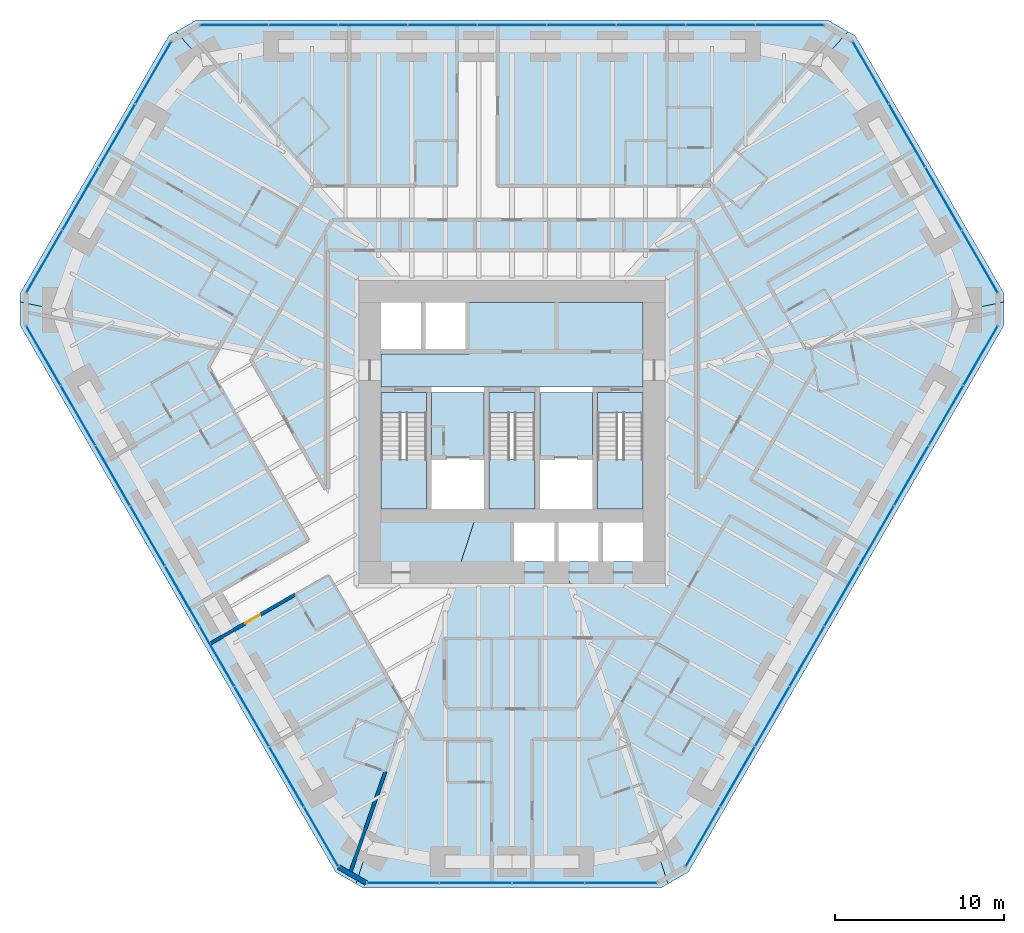
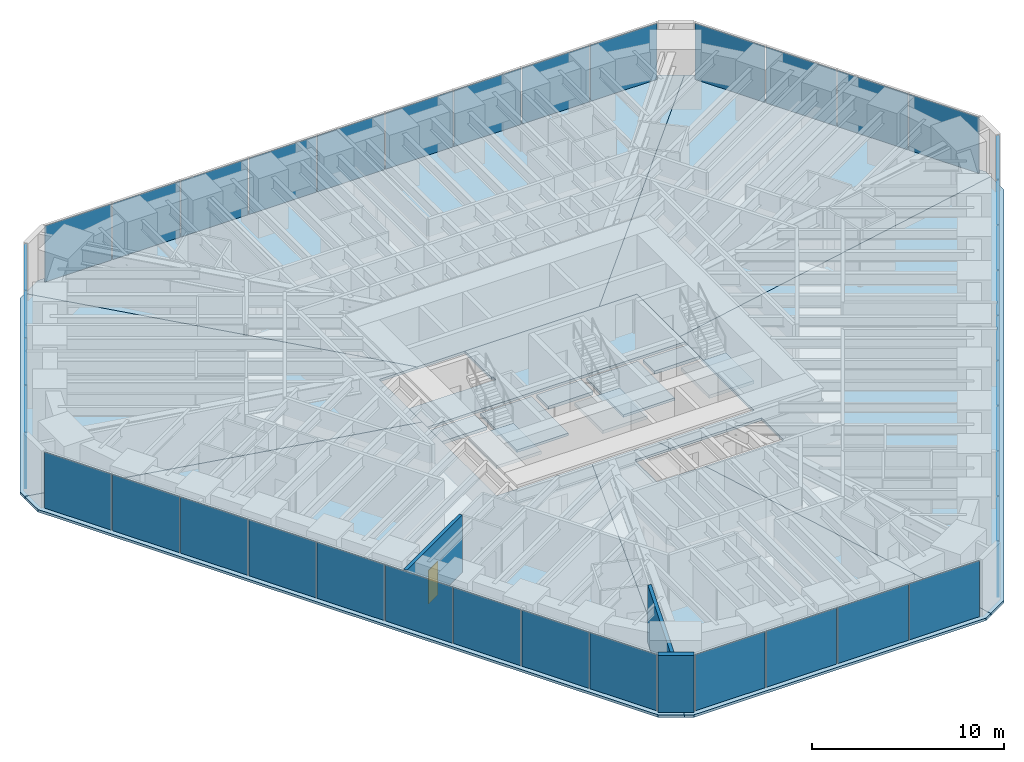
# One storey, part 10 of 17: 39 plates, 15 slabs, 3 walls, 1 door, 1 opening, 9 elements without a shape of their own.
"""IFC4 building model written with IfcOpenShell, lengths in metres."""

from ifc_helpers import new_model, si_unit, direction, frame, frame_2d, origin, origin_2d, place, context, subcontext, project, spatial, polyline, rectangle, outline, extrude, material, layer, layer_set, type_object, element, fill, aggregate, save


model = new_model("IFC4")

# Units and contexts
model_context = context("Model", 3, precision=1e-05, world=origin(), true_north=direction((0.0, 1.0)))
body_context = subcontext(model_context, "Body", "Model", "MODEL_VIEW")
ifc_project = project(units=[si_unit("LENGTHUNIT", "METRE"), si_unit("AREAUNIT", "SQUARE_METRE"), si_unit("VOLUMEUNIT", "CUBIC_METRE"), si_unit("PLANEANGLEUNIT", "RADIAN"), si_unit("MASSUNIT", "GRAM", prefix="KILO")], contexts=[model_context])

# Site, building, storey
site_placement = place(None, origin())
site = spatial("IfcSite", under=ifc_project, at=site_placement, CompositionType="ELEMENT")
building_placement = place(site_placement, origin())
building = spatial("IfcBuilding", under=site, at=building_placement, Name="Sandreach Pilgrim Tower", CompositionType="ELEMENT")
storey_placement = place(building_placement, frame((0.0, 0.0, 108.199951171875)))
storey = spatial("IfcBuildingStorey", under=building, at=storey_placement, Name="L26", CompositionType="ELEMENT", Elevation=108.199951171875)

# Curtain wall, plates
ifc_material_1 = material(Name="Aluminium framed curtain wall", Category="aluminium")
curtain_wall_type = type_object("IfcCurtainWallType", Name="Hotel tower curtain wall", PredefinedType="NOTDEFINED", material=ifc_material_1)
curtain_wall_1_placement = place(storey_placement, origin())
curtain_wall_1 = element("IfcCurtainWall", 1, at=curtain_wall_1_placement, inside=storey, type_object=curtain_wall_type, Name="CW-2 L26 N", PredefinedType="NOTDEFINED")
ifc_material_2 = material(Name="Insulating glass unit 8 heat-strengthened + 16 argon + 8 heat-strengthened", Category="glass")
ifc_layer_1 = layer(ifc_material_2, 0.031982421875)
ifc_layer_set_1 = layer_set([ifc_layer_1], Name="CW-2 panel")
plate_type = type_object("IfcPlateType", Name="CW-2 panel", PredefinedType="CURTAIN_PANEL", material=ifc_layer_set_1)
plate_1_placement = place(storey_placement, frame((-16.41162109375, 22.493896484375, 0.0), z_axis=(0.0, 0.0, 1.0), x_axis=(1.0, 0.0, 0.0)))
plate_1 = element("IfcPlate", 2, at=plate_1_placement, type_object=plate_type, Name="CW-2 panel 1", PredefinedType="CURTAIN_PANEL", context=body_context, shape_type="SweptSolid", body=[
    extrude(rectangle(XDim=4.009521484375, YDim=0.031982421875, at=origin_2d()), origin(), (0.0, 0.0, 1.0), 3.570068359375),
])
plate_2_placement = place(storey_placement, frame((-12.32080078125, 22.493896484375, 0.0), z_axis=(0.0, 0.0, 1.0), x_axis=(1.0, 0.0, 0.0)))
plate_2 = element("IfcPlate", 3, at=plate_2_placement, type_object=plate_type, Name="CW-2 panel 2", PredefinedType="CURTAIN_PANEL", context=body_context, shape_type="SweptSolid", body=[
    extrude(rectangle(XDim=4.0419921875, YDim=0.031982421875, at=origin_2d()), origin(), (0.0, 0.0, 1.0), 3.570068359375),
])
plate_3_placement = place(storey_placement, frame((-8.2138671875, 22.493896484375, 0.0), z_axis=(0.0, 0.0, 1.0), x_axis=(1.0, 0.0, 0.0)))
plate_3 = element("IfcPlate", 4, at=plate_3_placement, type_object=plate_type, Name="CW-2 panel 3", PredefinedType="CURTAIN_PANEL", context=body_context, shape_type="SweptSolid", body=[
    extrude(rectangle(XDim=4.0419921875, YDim=0.031982421875, at=origin_2d()), origin(), (0.0, 0.0, 1.0), 3.570068359375),
])
plate_4_placement = place(storey_placement, frame((-4.10693359375, 22.493896484375, 0.0), z_axis=(0.0, 0.0, 1.0), x_axis=(1.0, 0.0, 0.0)))
plate_4 = element("IfcPlate", 5, at=plate_4_placement, type_object=plate_type, Name="CW-2 panel 4", PredefinedType="CURTAIN_PANEL", context=body_context, shape_type="SweptSolid", body=[
    extrude(rectangle(XDim=4.0419921875, YDim=0.031982421875, at=origin_2d()), origin(), (0.0, 0.0, 1.0), 3.570068359375),
])
plate_5_placement = place(storey_placement, frame((0.0, 22.493896484375, 0.0), z_axis=(0.0, 0.0, 1.0), x_axis=(1.0, 0.0, 0.0)))
plate_5 = element("IfcPlate", 6, at=plate_5_placement, type_object=plate_type, Name="CW-2 panel 5", PredefinedType="CURTAIN_PANEL", context=body_context, shape_type="SweptSolid", body=[
    extrude(rectangle(XDim=4.0419921875, YDim=0.031982421875, at=origin_2d()), origin(), (0.0, 0.0, 1.0), 3.570068359375),
])
plate_6_placement = place(storey_placement, frame((4.10693359375, 22.493896484375, 0.0), z_axis=(0.0, 0.0, 1.0), x_axis=(1.0, 0.0, 0.0)))
plate_6 = element("IfcPlate", 7, at=plate_6_placement, type_object=plate_type, Name="CW-2 panel 6", PredefinedType="CURTAIN_PANEL", context=body_context, shape_type="SweptSolid", body=[
    extrude(rectangle(XDim=4.0419921875, YDim=0.031982421875, at=origin_2d()), origin(), (0.0, 0.0, 1.0), 3.570068359375),
])
plate_7_placement = place(storey_placement, frame((8.2138671875, 22.493896484375, 0.0), z_axis=(0.0, 0.0, 1.0), x_axis=(1.0, 0.0, 0.0)))
plate_7 = element("IfcPlate", 8, at=plate_7_placement, type_object=plate_type, Name="CW-2 panel 7", PredefinedType="CURTAIN_PANEL", context=body_context, shape_type="SweptSolid", body=[
    extrude(rectangle(XDim=4.0419921875, YDim=0.031982421875, at=origin_2d()), origin(), (0.0, 0.0, 1.0), 3.570068359375),
])
plate_8_placement = place(storey_placement, frame((12.32080078125, 22.493896484375, 0.0), z_axis=(0.0, 0.0, 1.0), x_axis=(1.0, 0.0, 0.0)))
plate_8 = element("IfcPlate", 9, at=plate_8_placement, type_object=plate_type, Name="CW-2 panel 8", PredefinedType="CURTAIN_PANEL", context=body_context, shape_type="SweptSolid", body=[
    extrude(rectangle(XDim=4.0419921875, YDim=0.031982421875, at=origin_2d()), origin(), (0.0, 0.0, 1.0), 3.570068359375),
])
plate_9_placement = place(storey_placement, frame((16.41162109375, 22.493896484375, 0.0), z_axis=(0.0, 0.0, 1.0), x_axis=(1.0, 0.0, 0.0)))
plate_9 = element("IfcPlate", 10, at=plate_9_placement, type_object=plate_type, Name="CW-2 panel 9", PredefinedType="CURTAIN_PANEL", context=body_context, shape_type="SweptSolid", body=[
    extrude(rectangle(XDim=4.009521484375, YDim=0.031982421875, at=origin_2d()), origin(), (0.0, 0.0, 1.0), 3.570068359375),
])
aggregate(curtain_wall_1, [plate_1, plate_2, plate_3, plate_4, plate_5, plate_6, plate_7, plate_8, plate_9])

curtain_wall_2_placement = place(storey_placement, origin())
curtain_wall_2 = element("IfcCurtainWall", 11, at=curtain_wall_2_placement, inside=storey, type_object=curtain_wall_type, Name="CW-2 L26 NE", PredefinedType="NOTDEFINED")
plate_10_placement = place(storey_placement, frame((21.194091796875, 19.67529296875, 0.0), z_axis=(0.0, 0.0, 1.0), x_axis=(0.5, -0.866025403784, 0.0)))
plate_10 = element("IfcPlate", 12, at=plate_10_placement, type_object=plate_type, Name="CW-2 panel 1", PredefinedType="CURTAIN_PANEL", context=body_context, shape_type="SweptSolid", body=[
    extrude(rectangle(XDim=4.208251953125, YDim=0.031982421875, at=origin_2d()), origin(), (0.0, 0.0, 1.0), 3.570068359375),
])
plate_11_placement = place(storey_placement, frame((23.3388671875, 15.96044921875, 0.0), z_axis=(0.0, 0.0, 1.0), x_axis=(0.5, -0.866025403784, 0.0)))
plate_11 = element("IfcPlate", 13, at=plate_11_placement, type_object=plate_type, Name="CW-2 panel 2", PredefinedType="CURTAIN_PANEL", context=body_context, shape_type="SweptSolid", body=[
    extrude(rectangle(XDim=4.24072265625, YDim=0.031982421875, at=origin_2d()), origin(), (0.0, 0.0, 1.0), 3.570068359375),
])
plate_12_placement = place(storey_placement, frame((25.49169921875, 12.231689453125, 0.0), z_axis=(0.0, 0.0, 1.0), x_axis=(0.5, -0.866025403784, 0.0)))
plate_12 = element("IfcPlate", 14, at=plate_12_placement, type_object=plate_type, Name="CW-2 panel 3", PredefinedType="CURTAIN_PANEL", context=body_context, shape_type="SweptSolid", body=[
    extrude(rectangle(XDim=4.24072265625, YDim=0.031982421875, at=origin_2d()), origin(), (0.0, 0.0, 1.0), 3.570068359375),
])
plate_13_placement = place(storey_placement, frame((27.63623046875, 8.516845703125, 0.0), z_axis=(0.0, 0.0, 1.0), x_axis=(0.5, -0.866025403784, 0.0)))
plate_13 = element("IfcPlate", 15, at=plate_13_placement, type_object=plate_type, Name="CW-2 panel 4", PredefinedType="CURTAIN_PANEL", context=body_context, shape_type="SweptSolid", body=[
    extrude(rectangle(XDim=4.208251953125, YDim=0.031982421875, at=origin_2d()), origin(), (0.0, 0.0, 1.0), 3.570068359375),
])
aggregate(curtain_wall_2, [plate_10, plate_11, plate_12, plate_13])

curtain_wall_3_placement = place(storey_placement, origin())
curtain_wall_3 = element("IfcCurtainWall", 16, at=curtain_wall_3_placement, inside=storey, type_object=curtain_wall_type, Name="CW-2 L26 SE", PredefinedType="NOTDEFINED")
plate_14_placement = place(storey_placement, frame((27.68603515625, 2.966064453125, 0.0), z_axis=(0.0, 0.0, 1.0), x_axis=(-0.5, -0.866025403784, 0.0)))
plate_14 = element("IfcPlate", 17, at=plate_14_placement, type_object=plate_type, Name="CW-2 panel 1", PredefinedType="CURTAIN_PANEL", context=body_context, shape_type="SweptSolid", body=[
    extrude(rectangle(XDim=4.009521484375, YDim=0.031982421875, at=origin_2d()), origin(), (0.0, 0.0, 1.0), 3.570068359375),
])
plate_15_placement = place(storey_placement, frame((25.640625, -0.57666015625, 0.0), z_axis=(0.0, 0.0, 1.0), x_axis=(-0.5, -0.866025403784, 0.0)))
plate_15 = element("IfcPlate", 18, at=plate_15_placement, type_object=plate_type, Name="CW-2 panel 2", PredefinedType="CURTAIN_PANEL", context=body_context, shape_type="SweptSolid", body=[
    extrude(rectangle(XDim=4.0419921875, YDim=0.031982421875, at=origin_2d()), origin(), (0.0, 0.0, 1.0), 3.570068359375),
])
plate_16_placement = place(storey_placement, frame((23.587158203125, -4.13330078125, 0.0), z_axis=(0.0, 0.0, 1.0), x_axis=(-0.5, -0.866025403784, 0.0)))
plate_16 = element("IfcPlate", 19, at=plate_16_placement, type_object=plate_type, Name="CW-2 panel 3", PredefinedType="CURTAIN_PANEL", context=body_context, shape_type="SweptSolid", body=[
    extrude(rectangle(XDim=4.0419921875, YDim=0.031982421875, at=origin_2d()), origin(), (0.0, 0.0, 1.0), 3.570068359375),
])
plate_17_placement = place(storey_placement, frame((21.53369140625, -7.690185546875, 0.0), z_axis=(0.0, 0.0, 1.0), x_axis=(-0.5, -0.866025403784, 0.0)))
plate_17 = element("IfcPlate", 20, at=plate_17_placement, type_object=plate_type, Name="CW-2 panel 4", PredefinedType="CURTAIN_PANEL", context=body_context, shape_type="SweptSolid", body=[
    extrude(rectangle(XDim=4.0419921875, YDim=0.031982421875, at=origin_2d()), origin(), (0.0, 0.0, 1.0), 3.570068359375),
])
plate_18_placement = place(storey_placement, frame((19.480224609375, -11.246826171875, 0.0), z_axis=(0.0, 0.0, 1.0), x_axis=(-0.5, -0.866025403784, 0.0)))
plate_18 = element("IfcPlate", 21, at=plate_18_placement, type_object=plate_type, Name="CW-2 panel 5", PredefinedType="CURTAIN_PANEL", context=body_context, shape_type="SweptSolid", body=[
    extrude(rectangle(XDim=4.0419921875, YDim=0.031982421875, at=origin_2d()), origin(), (0.0, 0.0, 1.0), 3.570068359375),
])
plate_19_placement = place(storey_placement, frame((17.4267578125, -14.8037109375, 0.0), z_axis=(0.0, 0.0, 1.0), x_axis=(-0.5, -0.866025403784, 0.0)))
plate_19 = element("IfcPlate", 22, at=plate_19_placement, type_object=plate_type, Name="CW-2 panel 6", PredefinedType="CURTAIN_PANEL", context=body_context, shape_type="SweptSolid", body=[
    extrude(rectangle(XDim=4.0419921875, YDim=0.031982421875, at=origin_2d()), origin(), (0.0, 0.0, 1.0), 3.570068359375),
])
plate_20_placement = place(storey_placement, frame((15.373291015625, -18.3603515625, 0.0), z_axis=(0.0, 0.0, 1.0), x_axis=(-0.5, -0.866025403784, 0.0)))
plate_20 = element("IfcPlate", 23, at=plate_20_placement, type_object=plate_type, Name="CW-2 panel 7", PredefinedType="CURTAIN_PANEL", context=body_context, shape_type="SweptSolid", body=[
    extrude(rectangle(XDim=4.0419921875, YDim=0.031982421875, at=origin_2d()), origin(), (0.0, 0.0, 1.0), 3.570068359375),
])
plate_21_placement = place(storey_placement, frame((13.31982421875, -21.917236328125, 0.0), z_axis=(0.0, 0.0, 1.0), x_axis=(-0.5, -0.866025403784, 0.0)))
plate_21 = element("IfcPlate", 24, at=plate_21_placement, type_object=plate_type, Name="CW-2 panel 8", PredefinedType="CURTAIN_PANEL", context=body_context, shape_type="SweptSolid", body=[
    extrude(rectangle(XDim=4.0419921875, YDim=0.031982421875, at=origin_2d()), origin(), (0.0, 0.0, 1.0), 3.570068359375),
])
plate_22_placement = place(storey_placement, frame((11.2744140625, -25.459716796875, 0.0), z_axis=(0.0, 0.0, 1.0), x_axis=(-0.5, -0.866025403784, 0.0)))
plate_22 = element("IfcPlate", 25, at=plate_22_placement, type_object=plate_type, Name="CW-2 panel 9", PredefinedType="CURTAIN_PANEL", context=body_context, shape_type="SweptSolid", body=[
    extrude(rectangle(XDim=4.009521484375, YDim=0.031982421875, at=origin_2d()), origin(), (0.0, 0.0, 1.0), 3.570068359375),
])
aggregate(curtain_wall_3, [plate_14, plate_15, plate_16, plate_17, plate_18, plate_19, plate_20, plate_21, plate_22])

curtain_wall_4_placement = place(storey_placement, origin())
curtain_wall_4 = element("IfcCurtainWall", 26, at=curtain_wall_4_placement, inside=storey, type_object=curtain_wall_type, Name="CW-2 L26 S", PredefinedType="NOTDEFINED")
plate_23_placement = place(storey_placement, frame((6.4423828125, -28.192138671875, 0.0), z_axis=(0.0, 0.0, 1.0), x_axis=(-1.0, 0.0, 0.0)))
plate_23 = element("IfcPlate", 27, at=plate_23_placement, type_object=plate_type, Name="CW-2 panel 1", PredefinedType="CURTAIN_PANEL", context=body_context, shape_type="SweptSolid", body=[
    extrude(rectangle(XDim=4.208251953125, YDim=0.031982421875, at=origin_2d()), origin(), (0.0, 0.0, 1.0), 3.570068359375),
])
plate_24_placement = place(storey_placement, frame((2.15283203125, -28.192138671875, 0.0), z_axis=(0.0, 0.0, 1.0), x_axis=(-1.0, 0.0, 0.0)))
plate_24 = element("IfcPlate", 28, at=plate_24_placement, type_object=plate_type, Name="CW-2 panel 2", PredefinedType="CURTAIN_PANEL", context=body_context, shape_type="SweptSolid", body=[
    extrude(rectangle(XDim=4.24072265625, YDim=0.031982421875, at=origin_2d()), origin(), (0.0, 0.0, 1.0), 3.570068359375),
])
plate_25_placement = place(storey_placement, frame((-2.15283203125, -28.192138671875, 0.0), z_axis=(0.0, 0.0, 1.0), x_axis=(-1.0, 0.0, 0.0)))
plate_25 = element("IfcPlate", 29, at=plate_25_placement, type_object=plate_type, Name="CW-2 panel 3", PredefinedType="CURTAIN_PANEL", context=body_context, shape_type="SweptSolid", body=[
    extrude(rectangle(XDim=4.24072265625, YDim=0.031982421875, at=origin_2d()), origin(), (0.0, 0.0, 1.0), 3.570068359375),
])
plate_26_placement = place(storey_placement, frame((-6.4423828125, -28.192138671875, 0.0), z_axis=(0.0, 0.0, 1.0), x_axis=(-1.0, 0.0, 0.0)))
plate_26 = element("IfcPlate", 30, at=plate_26_placement, type_object=plate_type, Name="CW-2 panel 4", PredefinedType="CURTAIN_PANEL", context=body_context, shape_type="SweptSolid", body=[
    extrude(rectangle(XDim=4.208251953125, YDim=0.031982421875, at=origin_2d()), origin(), (0.0, 0.0, 1.0), 3.570068359375),
])
aggregate(curtain_wall_4, [plate_23, plate_24, plate_25, plate_26])

curtain_wall_5_placement = place(storey_placement, origin())
curtain_wall_5 = element("IfcCurtainWall", 31, at=curtain_wall_5_placement, inside=storey, type_object=curtain_wall_type, Name="CW-2 L26 SW", PredefinedType="NOTDEFINED")
plate_27_placement = place(storey_placement, frame((-11.2744140625, -25.459716796875, 0.0), z_axis=(0.0, 0.0, 1.0), x_axis=(-0.5, 0.866025403784, 0.0)))
plate_27 = element("IfcPlate", 32, at=plate_27_placement, type_object=plate_type, Name="CW-2 panel 1", PredefinedType="CURTAIN_PANEL", context=body_context, shape_type="SweptSolid", body=[
    extrude(rectangle(XDim=4.009521484375, YDim=0.031982421875, at=origin_2d()), origin(), (0.0, 0.0, 1.0), 3.570068359375),
])
plate_28_placement = place(storey_placement, frame((-13.31982421875, -21.917236328125, 0.0), z_axis=(0.0, 0.0, 1.0), x_axis=(-0.5, 0.866025403784, 0.0)))
plate_28 = element("IfcPlate", 33, at=plate_28_placement, type_object=plate_type, Name="CW-2 panel 2", PredefinedType="CURTAIN_PANEL", context=body_context, shape_type="SweptSolid", body=[
    extrude(rectangle(XDim=4.0419921875, YDim=0.031982421875, at=origin_2d()), origin(), (0.0, 0.0, 1.0), 3.570068359375),
])
plate_29_placement = place(storey_placement, frame((-15.373291015625, -18.3603515625, 0.0), z_axis=(0.0, 0.0, 1.0), x_axis=(-0.5, 0.866025403784, 0.0)))
plate_29 = element("IfcPlate", 34, at=plate_29_placement, type_object=plate_type, Name="CW-2 panel 3", PredefinedType="CURTAIN_PANEL", context=body_context, shape_type="SweptSolid", body=[
    extrude(rectangle(XDim=4.0419921875, YDim=0.031982421875, at=origin_2d()), origin(), (0.0, 0.0, 1.0), 3.570068359375),
])
plate_30_placement = place(storey_placement, frame((-17.4267578125, -14.8037109375, 0.0), z_axis=(0.0, 0.0, 1.0), x_axis=(-0.5, 0.866025403784, 0.0)))
plate_30 = element("IfcPlate", 35, at=plate_30_placement, type_object=plate_type, Name="CW-2 panel 4", PredefinedType="CURTAIN_PANEL", context=body_context, shape_type="SweptSolid", body=[
    extrude(rectangle(XDim=4.0419921875, YDim=0.031982421875, at=origin_2d()), origin(), (0.0, 0.0, 1.0), 3.570068359375),
])
plate_31_placement = place(storey_placement, frame((-19.480224609375, -11.246826171875, 0.0), z_axis=(0.0, 0.0, 1.0), x_axis=(-0.5, 0.866025403784, 0.0)))
plate_31 = element("IfcPlate", 36, at=plate_31_placement, type_object=plate_type, Name="CW-2 panel 5", PredefinedType="CURTAIN_PANEL", context=body_context, shape_type="SweptSolid", body=[
    extrude(rectangle(XDim=4.0419921875, YDim=0.031982421875, at=origin_2d()), origin(), (0.0, 0.0, 1.0), 3.570068359375),
])
plate_32_placement = place(storey_placement, frame((-21.53369140625, -7.690185546875, 0.0), z_axis=(0.0, 0.0, 1.0), x_axis=(-0.5, 0.866025403784, 0.0)))
plate_32 = element("IfcPlate", 37, at=plate_32_placement, type_object=plate_type, Name="CW-2 panel 6", PredefinedType="CURTAIN_PANEL", context=body_context, shape_type="SweptSolid", body=[
    extrude(rectangle(XDim=4.0419921875, YDim=0.031982421875, at=origin_2d()), origin(), (0.0, 0.0, 1.0), 3.570068359375),
])
plate_33_placement = place(storey_placement, frame((-23.587158203125, -4.13330078125, 0.0), z_axis=(0.0, 0.0, 1.0), x_axis=(-0.5, 0.866025403784, 0.0)))
plate_33 = element("IfcPlate", 38, at=plate_33_placement, type_object=plate_type, Name="CW-2 panel 7", PredefinedType="CURTAIN_PANEL", context=body_context, shape_type="SweptSolid", body=[
    extrude(rectangle(XDim=4.0419921875, YDim=0.031982421875, at=origin_2d()), origin(), (0.0, 0.0, 1.0), 3.570068359375),
])
plate_34_placement = place(storey_placement, frame((-25.640625, -0.57666015625, 0.0), z_axis=(0.0, 0.0, 1.0), x_axis=(-0.5, 0.866025403784, 0.0)))
plate_34 = element("IfcPlate", 39, at=plate_34_placement, type_object=plate_type, Name="CW-2 panel 8", PredefinedType="CURTAIN_PANEL", context=body_context, shape_type="SweptSolid", body=[
    extrude(rectangle(XDim=4.0419921875, YDim=0.031982421875, at=origin_2d()), origin(), (0.0, 0.0, 1.0), 3.570068359375),
])
plate_35_placement = place(storey_placement, frame((-27.68603515625, 2.966064453125, 0.0), z_axis=(0.0, 0.0, 1.0), x_axis=(-0.5, 0.866025403784, 0.0)))
plate_35 = element("IfcPlate", 40, at=plate_35_placement, type_object=plate_type, Name="CW-2 panel 9", PredefinedType="CURTAIN_PANEL", context=body_context, shape_type="SweptSolid", body=[
    extrude(rectangle(XDim=4.009521484375, YDim=0.031982421875, at=origin_2d()), origin(), (0.0, 0.0, 1.0), 3.570068359375),
])
aggregate(curtain_wall_5, [plate_27, plate_28, plate_29, plate_30, plate_31, plate_32, plate_33, plate_34, plate_35])

curtain_wall_6_placement = place(storey_placement, origin())
curtain_wall_6 = element("IfcCurtainWall", 41, at=curtain_wall_6_placement, inside=storey, type_object=curtain_wall_type, Name="CW-2 L26 NW", PredefinedType="NOTDEFINED")
plate_36_placement = place(storey_placement, frame((-27.63623046875, 8.516845703125, 0.0), z_axis=(0.0, 0.0, 1.0), x_axis=(0.5, 0.866025403784, 0.0)))
plate_36 = element("IfcPlate", 42, at=plate_36_placement, type_object=plate_type, Name="CW-2 panel 1", PredefinedType="CURTAIN_PANEL", context=body_context, shape_type="SweptSolid", body=[
    extrude(rectangle(XDim=4.208251953125, YDim=0.031982421875, at=origin_2d()), origin(), (0.0, 0.0, 1.0), 3.570068359375),
])
plate_37_placement = place(storey_placement, frame((-25.49169921875, 12.231689453125, 0.0), z_axis=(0.0, 0.0, 1.0), x_axis=(0.5, 0.866025403784, 0.0)))
plate_37 = element("IfcPlate", 43, at=plate_37_placement, type_object=plate_type, Name="CW-2 panel 2", PredefinedType="CURTAIN_PANEL", context=body_context, shape_type="SweptSolid", body=[
    extrude(rectangle(XDim=4.24072265625, YDim=0.031982421875, at=origin_2d()), origin(), (0.0, 0.0, 1.0), 3.570068359375),
])
plate_38_placement = place(storey_placement, frame((-23.3388671875, 15.96044921875, 0.0), z_axis=(0.0, 0.0, 1.0), x_axis=(0.5, 0.866025403784, 0.0)))
plate_38 = element("IfcPlate", 44, at=plate_38_placement, type_object=plate_type, Name="CW-2 panel 3", PredefinedType="CURTAIN_PANEL", context=body_context, shape_type="SweptSolid", body=[
    extrude(rectangle(XDim=4.24072265625, YDim=0.031982421875, at=origin_2d()), origin(), (0.0, 0.0, 1.0), 3.570068359375),
])
plate_39_placement = place(storey_placement, frame((-21.194091796875, 19.67529296875, 0.0), z_axis=(0.0, 0.0, 1.0), x_axis=(0.5, 0.866025403784, 0.0)))
plate_39 = element("IfcPlate", 45, at=plate_39_placement, type_object=plate_type, Name="CW-2 panel 4", PredefinedType="CURTAIN_PANEL", context=body_context, shape_type="SweptSolid", body=[
    extrude(rectangle(XDim=4.208251953125, YDim=0.031982421875, at=origin_2d()), origin(), (0.0, 0.0, 1.0), 3.570068359375),
])
aggregate(curtain_wall_6, [plate_36, plate_37, plate_38, plate_39])

# Slabs
ifc_material_3 = material(Name="Concrete 8000 psi", Category="concrete")
ifc_layer_2 = layer(ifc_material_3, 0.159912109375)
ifc_layer_set_2 = layer_set([ifc_layer_2], Name="Composite floor slab 160")
slab_type_1 = type_object("IfcSlabType", Name="Composite floor slab 160", PredefinedType="FLOOR", material=ifc_layer_set_2)
slab_1_placement = place(storey_placement, frame((0.0, 0.0, -0.159912109375)))
element("IfcSlab", 46, at=slab_1_placement, inside=storey, type_object=slab_type_1, Name="Floor slab L26 N sector", PredefinedType="FLOOR", context=body_context, shape_type="SweptSolid", body=[
    extrude(outline(polyline([(-18.654541015625, 22.793701171875), (18.654541015625, 22.793701171875), (19.848388671875, 22.1044921875), (5.477294921875, 6.10009765625), (-5.477294921875, 6.10009765625), (-19.848388671875, 22.1044921875), (-18.654541015625, 22.793701171875)])), origin(), (0.0, 0.0, 1.0), 0.159912109375),
])
slab_2_placement = place(storey_placement, frame((0.0, 0.0, -0.159912109375)))
element("IfcSlab", 47, at=slab_2_placement, inside=storey, type_object=slab_type_1, Name="Floor slab L26 NE sector", PredefinedType="FLOOR", context=body_context, shape_type="SweptSolid", body=[
    extrude(outline(polyline([(20.28271484375, 21.853759765625), (29.0673828125, 6.638427734375), (29.0673828125, 6.13720703125), (7.75, 1.63623046875), (7.75, 6.10009765625), (5.477294921875, 6.10009765625), (19.848388671875, 22.1044921875), (20.28271484375, 21.853759765625)])), origin(), (0.0, 0.0, 1.0), 0.159912109375),
])
slab_3_placement = place(storey_placement, frame((0.0, 0.0, -0.159912109375)))
element("IfcSlab", 48, at=slab_3_placement, inside=storey, type_object=slab_type_1, Name="Floor slab L26 SE sector", PredefinedType="FLOOR", context=body_context, shape_type="SweptSolid", body=[
    extrude(outline(polyline([(29.0673828125, 4.75830078125), (10.41259765625, -27.55224609375), (9.21875, -28.241455078125), (3.003173828125, -9.199951171875), (7.75, -9.199951171875), (7.75, -6.89990234375), (2.252197265625, -6.89990234375), (1.9912109375, -6.10009765625), (7.75, -6.10009765625), (7.75, 1.63623046875), (29.0673828125, 6.13720703125), (29.0673828125, 4.75830078125)])), origin(), (0.0, 0.0, 1.0), 0.159912109375),
])
slab_4_placement = place(storey_placement, frame((0.0, 0.0, -0.159912109375)))
element("IfcSlab", 49, at=slab_4_placement, inside=storey, type_object=slab_type_1, Name="Floor slab L26 S sector", PredefinedType="FLOOR", context=body_context, shape_type="SweptSolid", body=[
    extrude(outline(polyline([(8.78466796875, -28.4921875), (-8.78466796875, -28.4921875), (-9.21875, -28.241455078125), (-1.9912109375, -6.10009765625), (1.9912109375, -6.10009765625), (2.252197265625, -6.89990234375), (0.125, -6.89990234375), (0.125, -9.199951171875), (3.003173828125, -9.199951171875), (9.21875, -28.241455078125), (8.78466796875, -28.4921875)])), origin(), (0.0, 0.0, 1.0), 0.159912109375),
])
slab_5_placement = place(storey_placement, frame((0.0, 0.0, -0.159912109375)))
element("IfcSlab", 50, at=slab_5_placement, inside=storey, type_object=slab_type_1, Name="Floor slab L26 SW sector", PredefinedType="FLOOR", context=body_context, shape_type="SweptSolid", body=[
    extrude(outline(polyline([(-10.41259765625, -27.55224609375), (-29.0673828125, 4.75830078125), (-29.0673828125, 6.13720703125), (-7.75, 1.63623046875), (-7.75, -6.10009765625), (-1.9912109375, -6.10009765625), (-9.21875, -28.241455078125), (-10.41259765625, -27.55224609375)])), origin(), (0.0, 0.0, 1.0), 0.159912109375),
])
slab_6_placement = place(storey_placement, frame((0.0, 0.0, -0.159912109375)))
element("IfcSlab", 51, at=slab_6_placement, inside=storey, type_object=slab_type_1, Name="Floor slab L26 NW sector", PredefinedType="FLOOR", context=body_context, shape_type="SweptSolid", body=[
    extrude(outline(polyline([(-29.0673828125, 6.638427734375), (-20.28271484375, 21.853759765625), (-19.848388671875, 22.1044921875), (-5.477294921875, 6.10009765625), (-7.75, 6.10009765625), (-7.75, 1.63623046875), (-29.0673828125, 6.13720703125), (-29.0673828125, 6.638427734375)])), origin(), (0.0, 0.0, 1.0), 0.159912109375),
])
slab_7_placement = place(storey_placement, frame((0.0, 0.0, -0.159912109375)))
element("IfcSlab", 52, at=slab_7_placement, inside=storey, type_object=slab_type_1, Name="Core floor slab L26", PredefinedType="FLOOR", context=body_context, shape_type="SweptSolid", body=[
    extrude(outline(polyline([(-7.75, 3.050048828125), (-5.375, 3.050048828125), (-5.125, 3.050048828125), (-2.5, 3.050048828125), (-2.5, 3.35009765625), (-2.60009765625, 3.35009765625), (-2.60009765625, 6.10009765625), (7.75, 6.10009765625), (7.75, 1.10009765625), (5.050048828125, 1.10009765625), (4.75, 1.10009765625), (1.64990234375, 1.10009765625), (1.35009765625, 1.10009765625), (-1.35009765625, 1.10009765625), (-1.64990234375, 1.10009765625), (-4.75, 1.10009765625), (-5.050048828125, 1.10009765625), (-7.75, 1.10009765625), (-7.75, 3.050048828125)])), origin(), (0.0, 0.0, 1.0), 0.159912109375),
])
slab_8_placement = place(storey_placement, frame((0.0, 0.0, -0.159912109375)))
element("IfcSlab", 53, at=slab_8_placement, inside=storey, type_object=slab_type_1, Name="Core floor slab L26 2", PredefinedType="FLOOR", context=body_context, shape_type="SweptSolid", body=[
    extrude(outline(polyline([(-1.64990234375, -3.050048828125), (-4.75, -3.050048828125), (-4.75, 0.800048828125), (-1.64990234375, 0.800048828125), (-1.64990234375, -3.050048828125)])), origin(), (0.0, 0.0, 1.0), 0.159912109375),
])
slab_9_placement = place(storey_placement, frame((0.0, 0.0, -0.159912109375)))
element("IfcSlab", 54, at=slab_9_placement, inside=storey, type_object=slab_type_1, Name="Core floor slab L26 3", PredefinedType="FLOOR", context=body_context, shape_type="SweptSolid", body=[
    extrude(outline(polyline([(4.75, -3.050048828125), (1.64990234375, -3.050048828125), (1.64990234375, 0.800048828125), (4.75, 0.800048828125), (4.75, -3.050048828125)])), origin(), (0.0, 0.0, 1.0), 0.159912109375),
])

# Stair, slabs
ifc_material_4 = material(Name="Concrete 8000 psi", Category="concrete")
stair_type = type_object("IfcStairType", Name="Core exit stair", PredefinedType="HALF_TURN_STAIR", material=ifc_material_4)
stair_1_placement = place(storey_placement, origin())
stair_1 = element("IfcStair", 55, at=stair_1_placement, inside=storey, type_object=stair_type, Name="Exit stair ST1 L26", PredefinedType="HALF_TURN_STAIR")
ifc_material_5 = material(Name="Concrete 8000 psi", Category="concrete")
ifc_layer_3 = layer(ifc_material_5, 0.199951171875)
ifc_layer_set_3 = layer_set([ifc_layer_3], Name="Core stair landing 200")
slab_type_2 = type_object("IfcSlabType", Name="Core stair landing 200", PredefinedType="LANDING", material=ifc_layer_set_3)
slab_10_placement = place(storey_placement, frame((0.0, 0.0, -0.199951171875)))
slab_10 = element("IfcSlab", 56, at=slab_10_placement, type_object=slab_type_2, Name="ST1 landing 1", PredefinedType="LANDING", context=body_context, shape_type="SweptSolid", body=[
    extrude(outline(polyline([(-7.75, -0.425048828125), (-5.050048828125, -0.425048828125), (-5.050048828125, 0.800048828125), (-7.75, 0.800048828125), (-7.75, -0.425048828125)])), origin(), (0.0, 0.0, 1.0), 0.199951171875),
])
slab_11_placement = place(storey_placement, frame((0.0, 0.0, 1.699951171875)))
slab_11 = element("IfcSlab", 57, at=slab_11_placement, type_object=slab_type_2, Name="ST1 landing 2", PredefinedType="LANDING", context=body_context, shape_type="SweptSolid", body=[
    extrude(outline(polyline([(-7.75, -6.10009765625), (-5.050048828125, -6.10009765625), (-5.050048828125, -3.175048828125), (-7.75, -3.175048828125), (-7.75, -6.10009765625)])), origin(), (0.0, 0.0, 1.0), 0.2001953125),
])
aggregate(stair_1, [slab_10, slab_11])

stair_2_placement = place(storey_placement, origin())
stair_2 = element("IfcStair", 58, at=stair_2_placement, inside=storey, type_object=stair_type, Name="Exit stair ST3 L26", PredefinedType="HALF_TURN_STAIR")
slab_12_placement = place(storey_placement, frame((0.0, 0.0, -0.199951171875)))
slab_12 = element("IfcSlab", 59, at=slab_12_placement, type_object=slab_type_2, Name="ST3 landing 1", PredefinedType="LANDING", context=body_context, shape_type="SweptSolid", body=[
    extrude(outline(polyline([(-1.35009765625, -0.425048828125), (1.35009765625, -0.425048828125), (1.35009765625, 0.800048828125), (-1.35009765625, 0.800048828125), (-1.35009765625, -0.425048828125)])), origin(), (0.0, 0.0, 1.0), 0.199951171875),
])
slab_13_placement = place(storey_placement, frame((0.0, 0.0, 1.699951171875)))
slab_13 = element("IfcSlab", 60, at=slab_13_placement, type_object=slab_type_2, Name="ST3 landing 2", PredefinedType="LANDING", context=body_context, shape_type="SweptSolid", body=[
    extrude(outline(polyline([(-1.35009765625, -6.10009765625), (1.35009765625, -6.10009765625), (1.35009765625, -3.175048828125), (-1.35009765625, -3.175048828125), (-1.35009765625, -6.10009765625)])), origin(), (0.0, 0.0, 1.0), 0.2001953125),
])
aggregate(stair_2, [slab_12, slab_13])

stair_3_placement = place(storey_placement, origin())
stair_3 = element("IfcStair", 61, at=stair_3_placement, inside=storey, type_object=stair_type, Name="Exit stair ST2 L26", PredefinedType="HALF_TURN_STAIR")
slab_14_placement = place(storey_placement, frame((0.0, 0.0, -0.199951171875)))
slab_14 = element("IfcSlab", 62, at=slab_14_placement, type_object=slab_type_2, Name="ST2 landing 1", PredefinedType="LANDING", context=body_context, shape_type="SweptSolid", body=[
    extrude(outline(polyline([(5.050048828125, -0.425048828125), (7.75, -0.425048828125), (7.75, 0.800048828125), (5.050048828125, 0.800048828125), (5.050048828125, -0.425048828125)])), origin(), (0.0, 0.0, 1.0), 0.199951171875),
])
slab_15_placement = place(storey_placement, frame((0.0, 0.0, 1.699951171875)))
slab_15 = element("IfcSlab", 63, at=slab_15_placement, type_object=slab_type_2, Name="ST2 landing 2", PredefinedType="LANDING", context=body_context, shape_type="SweptSolid", body=[
    extrude(outline(polyline([(5.050048828125, -6.10009765625), (7.75, -6.10009765625), (7.75, -3.175048828125), (5.050048828125, -3.175048828125), (5.050048828125, -6.10009765625)])), origin(), (0.0, 0.0, 1.0), 0.2001953125),
])
aggregate(stair_3, [slab_14, slab_15])

# Wall, opening, door
ifc_material_6 = material(Name="Gypsum board on steel studs, two layers each side", Category="steel")
ifc_layer_4 = layer(ifc_material_6, 0.199951171875)
ifc_layer_set_4 = layer_set([ifc_layer_4], Name="Corridor wall 200")
wall_type_1 = type_object("IfcWallType", Name="Corridor wall 200", PredefinedType="PARTITIONING", material=ifc_layer_set_4)
wall_1_placement = place(storey_placement, frame((-17.823974609375, -14.044921875, 0.0), z_axis=(0.0, 0.0, 1.0), x_axis=(0.866007919525, 0.500030282404, 0.0)))
wall_1 = element("IfcWall", 64, at=wall_1_placement, inside=storey, type_object=wall_type_1, Name="Corridor wall L26-017", PredefinedType="PARTITIONING", context=body_context, shape_type="SweptSolid", body=[
    extrude(rectangle(XDim=5.789794921875, YDim=0.199951171875, at=frame_2d((2.89501953125, 0.0))), origin(), (0.0, 0.0, 1.0), 3.64013671875),
])
opening_placement = place(wall_1_placement, frame((2.39501953125, 0.0, 0.0)))
opening = element("IfcOpeningElement", 65, at=opening_placement, cuts=wall_1, Name="Opening D10-13", PredefinedType="OPENING", context=body_context, shape_type="SweptSolid", body=[
    extrude(rectangle(XDim=1.0, YDim=2.1298828125, at=frame_2d((0.5, 1.06494140625))), frame((0.0, 0.10009765625, 0.0), z_axis=(0.0, -1.0, 0.0), x_axis=(1.0, 0.0, 0.0)), (0.0, 0.0, 1.0), 0.199951171875),
])
ifc_material_7 = material(Name="Steel door and frame", Category="steel")
door_type = type_object("IfcDoorType", Name="Guest room entry door", OperationType="SINGLE_SWING_LEFT", PredefinedType="DOOR", material=ifc_material_7)
door_placement = place(opening_placement, origin())
door = element("IfcDoor", 66, at=door_placement, inside=storey, type_object=door_type, Name="Door 2613", OperationType="SINGLE_SWING_LEFT", OverallHeight=2.1298828125, OverallWidth=1.0, PredefinedType="DOOR", context=body_context, shape_type="SweptSolid", body=[
    extrude(rectangle(XDim=1.0, YDim=2.1298828125, at=frame_2d((0.5, 1.06494140625))), frame((0.0, 0.02490234375, 0.0), z_axis=(0.0, -1.0, 0.0), x_axis=(1.0, 0.0, 0.0)), (0.0, 0.0, 1.0), 0.050048828125),
])
fill(opening, door)

# Walls
ifc_material_8 = material(Name="Double steel stud acoustic wall, gypsum board", Category="steel")
ifc_layer_5 = layer(ifc_material_8, 0.199951171875)
ifc_layer_set_5 = layer_set([ifc_layer_5], Name="Party wall 200")
wall_type_2 = type_object("IfcWallType", Name="Party wall 200", PredefinedType="PARTITIONING", material=ifc_layer_set_5)
wall_2_placement = place(storey_placement, frame((-9.580078125, -27.651611328125, 0.0), z_axis=(0.0, 0.0, 1.0), x_axis=(0.327855318627, 0.944727944991, 0.0)))
element("IfcWall", 67, at=wall_2_placement, inside=storey, type_object=wall_type_2, Name="Party wall L26-052", PredefinedType="PARTITIONING", context=body_context, shape_type="SweptSolid", body=[
    extrude(rectangle(XDim=6.405517578125, YDim=0.199951171875, at=frame_2d((3.20263671875, 0.0))), origin(), (0.0, 0.0, 1.0), 3.64013671875),
])
ifc_material_9 = material(Name="Terracotta rainscreen on concrete", Category="masonry")
ifc_layer_6 = layer(ifc_material_9, 0.300048828125)
ifc_layer_set_6 = layer_set([ifc_layer_6], Name="Terracotta chamfer pier")
wall_type_3 = type_object("IfcWallType", Name="Terracotta chamfer pier", PredefinedType="SOLIDWALL", material=ifc_layer_set_6)
wall_3_placement = place(storey_placement, frame((-8.611328125, -28.192138671875, 0.0), z_axis=(0.0, 0.0, 1.0), x_axis=(-0.866045024864, 0.499966013754, 0.0)))
element("IfcWall", 68, at=wall_3_placement, inside=storey, type_object=wall_type_3, Name="Chamfer pier L26 S", PredefinedType="SOLIDWALL", context=body_context, shape_type="SweptSolid", body=[
    extrude(rectangle(XDim=1.880126953125, YDim=0.300048828125, at=frame_2d((0.93994140625, 0.0))), origin(), (0.0, 0.0, 1.0), 3.64013671875),
])

save(model, "model.ifc")
